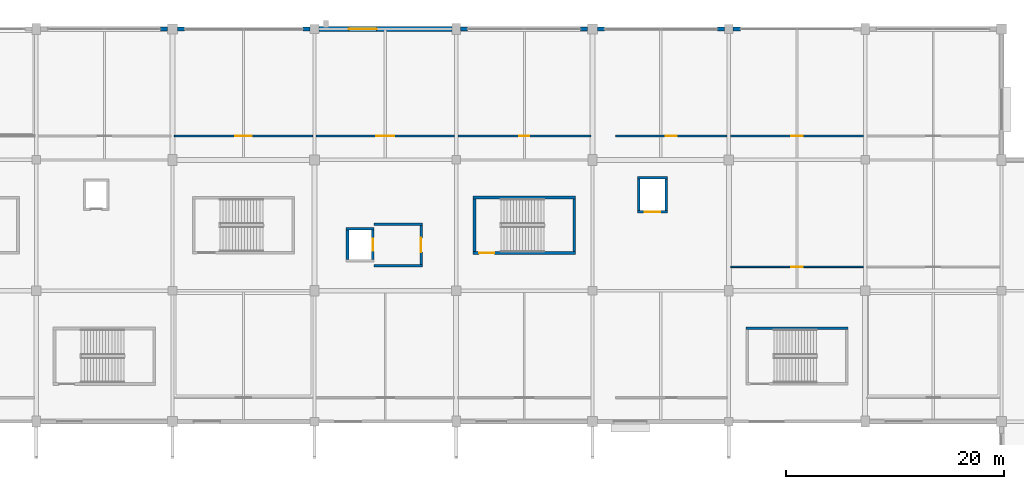
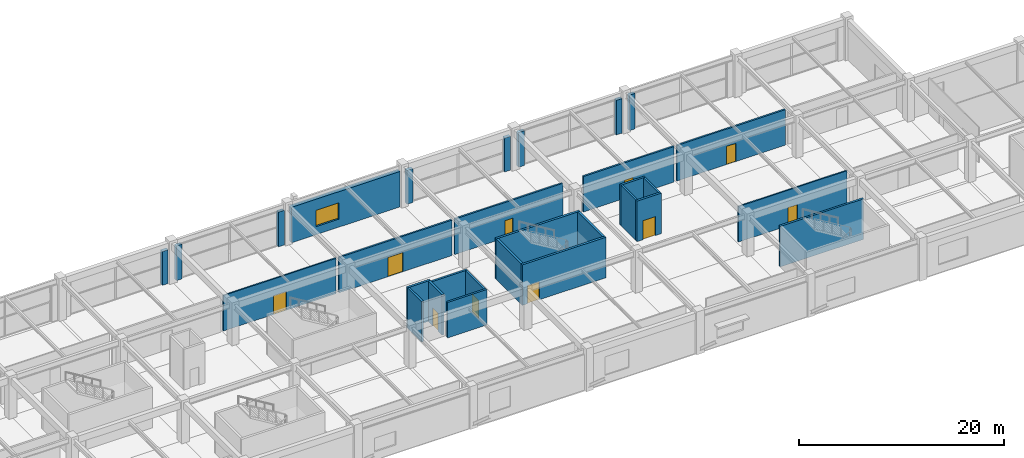
# One storey, part 81 of 116: 30 walls, 10 doors, 1 window, 11 openings.
"""IFC4 building model written with IfcOpenShell, lengths in metres."""

from ifc_helpers import new_model, si_unit, direction, frame, frame_2d, origin, place, context, subcontext, project, spatial, rectangle, extrude, material, layer, layer_set, type_object, element, fill, save


model = new_model("IFC4")

# Units and contexts
model_context = context("Model", 3, precision=1e-05, world=origin(), true_north=direction((0.0, 1.0)))
body_context = subcontext(model_context, "Body", "Model", "MODEL_VIEW")
ifc_project = project(units=[si_unit("LENGTHUNIT", "METRE"), si_unit("AREAUNIT", "SQUARE_METRE"), si_unit("VOLUMEUNIT", "CUBIC_METRE"), si_unit("PLANEANGLEUNIT", "RADIAN"), si_unit("MASSUNIT", "GRAM", prefix="KILO")], contexts=[model_context])

# Site, building, storey
site_placement = place(None, origin())
site = spatial("IfcSite", under=ifc_project, at=site_placement, CompositionType="ELEMENT")
building_placement = place(site_placement, origin())
building = spatial("IfcBuilding", under=site, at=building_placement, Name="Kazenohara Klinker Stadium", CompositionType="ELEMENT")
storey_placement = place(building_placement, frame((0.0, 0.0, 10.199951171875)))
storey = spatial("IfcBuildingStorey", under=building, at=storey_placement, Name="L02", CompositionType="ELEMENT", Elevation=10.199951171875)

# Walls
ifc_material_1 = material(Name="Concrete C40/50", Category="concrete")
ifc_layer_1 = layer(ifc_material_1, 0.22998046875)
ifc_layer_set_1 = layer_set([ifc_layer_1], Name="Concrete C40/50")
wall_type_1 = type_object("IfcWallType", Name="WAL-CORE-230", PredefinedType="SHEAR", material=ifc_layer_set_1)
wall_1_placement = place(storey_placement, frame((151.570068359375, 140.544921875, 0.0), z_axis=(0.0, 0.0, 1.0), x_axis=(1.0, 0.0, 0.0)))
element("IfcWall", 1, at=wall_1_placement, inside=storey, type_object=wall_type_1, Name="Stairwell shear wall ST20 L02 North", PredefinedType="SHEAR", context=body_context, shape_type="SweptSolid", body=[
    extrude(rectangle(XDim=9.35986328125, YDim=0.22998046875, at=frame_2d((4.679931640625, 0.0))), origin(), (0.0, 0.0, 1.0), 4.820068359375),
])
wall_2_placement = place(storey_placement, frame((114.919921875, 149.6650390625, 0.0), z_axis=(0.0, 0.0, 1.0), x_axis=(1.0, 0.0, 0.0)))
element("IfcWall", 2, at=wall_2_placement, inside=storey, type_object=wall_type_1, Name="Elevator shaft wall LF04 L02 North", PredefinedType="SHEAR", context=body_context, shape_type="SweptSolid", body=[
    extrude(rectangle(XDim=2.56005859375, YDim=0.22998046875, at=frame_2d((1.280029296875, 0.0))), origin(), (0.0, 0.0, 1.0), 4.820068359375),
])
wall_3_placement = place(storey_placement, frame((115.034912109375, 146.85009765625, 0.0), z_axis=(0.0, 0.0, 1.0), x_axis=(0.0, 1.0, 0.0)))
element("IfcWall", 3, at=wall_3_placement, inside=storey, type_object=wall_type_1, Name="Elevator shaft wall LF04 L02 West", PredefinedType="SHEAR", context=body_context, shape_type="SweptSolid", body=[
    extrude(rectangle(XDim=2.699951171875, YDim=0.22998046875, at=frame_2d((1.35009765625, 0.0))), origin(), (0.0, 0.0, 1.0), 4.820068359375),
])

# Wall, opening, door
wall_4_placement = place(storey_placement, frame((117.364990234375, 146.85009765625, 0.0), z_axis=(0.0, 0.0, 1.0), x_axis=(0.0, 1.0, 0.0)))
wall_4 = element("IfcWall", 4, at=wall_4_placement, inside=storey, type_object=wall_type_1, Name="Elevator shaft wall LF04 L02 East", PredefinedType="SHEAR", context=body_context, shape_type="SweptSolid", body=[
    extrude(rectangle(XDim=2.699951171875, YDim=0.22998046875, at=frame_2d((1.35009765625, 0.0))), origin(), (0.0, 0.0, 1.0), 4.820068359375),
])
opening_1_placement = place(wall_4_placement, frame((0.800048828125, 0.0, 0.0)))
opening_1 = element("IfcOpeningElement", 5, at=opening_1_placement, cuts=wall_4, Name="Opening LD01", PredefinedType="OPENING", context=body_context, shape_type="SweptSolid", body=[
    extrude(rectangle(XDim=1.10009765625, YDim=2.14990234375, at=frame_2d((0.550048828125, 1.074951171875))), frame((0.0, 0.125, 0.0), z_axis=(0.0, -1.0, 0.0), x_axis=(1.0, 0.0, 0.0)), (0.0, 0.0, 1.0), 0.25),
])
ifc_material_2 = material(Name="Stainless steel fire-rated sliding landing door", Category="steel")
door_type_1 = type_object("IfcDoorType", Name="DR-LD01-1100x2150", OperationType="NOTDEFINED", PredefinedType="DOOR", material=ifc_material_2)
door_1_placement = place(opening_1_placement, origin())
door_1 = element("IfcDoor", 6, at=door_1_placement, inside=storey, type_object=door_type_1, Name="Elevator sliding landing door LF04-L02", OperationType="DOUBLE_DOOR_SLIDING", OverallHeight=2.14990234375, OverallWidth=1.10009765625, PredefinedType="DOOR", context=body_context, shape_type="SweptSolid", body=[
    extrude(rectangle(XDim=1.10009765625, YDim=2.14990234375, at=frame_2d((0.550048828125, 1.074951171875))), frame((0.0, 0.02490234375, 0.0), z_axis=(0.0, -1.0, 0.0), x_axis=(1.0, 0.0, 0.0)), (0.0, 0.0, 1.0), 0.050048828125),
])
fill(opening_1, door_1)

wall_5_placement = place(storey_placement, frame((141.6201171875, 151.235107421875, 0.0), z_axis=(0.0, 0.0, 1.0), x_axis=(1.0, 0.0, 0.0)))
wall_5 = element("IfcWall", 7, at=wall_5_placement, inside=storey, type_object=wall_type_1, Name="Elevator shaft wall LG02 L02 South", PredefinedType="SHEAR", context=body_context, shape_type="SweptSolid", body=[
    extrude(rectangle(XDim=2.759765625, YDim=0.22998046875, at=frame_2d((1.3798828125, 0.0))), origin(), (0.0, 0.0, 1.0), 4.820068359375),
])
opening_2_placement = place(wall_5_placement, frame((0.679931640625, 0.0, 0.0)))
opening_2 = element("IfcOpeningElement", 8, at=opening_2_placement, cuts=wall_5, Name="Opening LD03", PredefinedType="OPENING", context=body_context, shape_type="SweptSolid", body=[
    extrude(rectangle(XDim=1.39990234375, YDim=2.25, at=frame_2d((0.699951171875, 1.125))), frame((0.0, 0.125, 0.0), z_axis=(0.0, -1.0, 0.0), x_axis=(1.0, 0.0, 0.0)), (0.0, 0.0, 1.0), 0.25),
])
ifc_material_3 = material(Name="Heavy-duty stainless steel sliding goods landing door", Category="steel")
door_type_2 = type_object("IfcDoorType", Name="DR-LD03-1400x2250", OperationType="NOTDEFINED", PredefinedType="DOOR", material=ifc_material_3)
door_2_placement = place(opening_2_placement, origin())
door_2 = element("IfcDoor", 9, at=door_2_placement, inside=storey, type_object=door_type_2, Name="Elevator sliding landing door LG02-L02", OperationType="DOUBLE_DOOR_SLIDING", OverallHeight=2.25, OverallWidth=1.39990234375, PredefinedType="DOOR", context=body_context, shape_type="SweptSolid", body=[
    extrude(rectangle(XDim=1.39990234375, YDim=2.25, at=frame_2d((0.699951171875, 1.125))), frame((0.0, 0.02490234375, 0.0), z_axis=(0.0, -1.0, 0.0), x_axis=(1.0, 0.0, 0.0)), (0.0, 0.0, 1.0), 0.050048828125),
])
fill(opening_2, door_2)

# Walls
wall_6_placement = place(storey_placement, frame((141.6201171875, 154.364990234375, 0.0), z_axis=(0.0, 0.0, 1.0), x_axis=(1.0, 0.0, 0.0)))
element("IfcWall", 10, at=wall_6_placement, inside=storey, type_object=wall_type_1, Name="Elevator shaft wall LG02 L02 North", PredefinedType="SHEAR", context=body_context, shape_type="SweptSolid", body=[
    extrude(rectangle(XDim=2.759765625, YDim=0.22998046875, at=frame_2d((1.3798828125, 0.0))), origin(), (0.0, 0.0, 1.0), 4.820068359375),
])
for number, where, z_axis, x_axis, name in (
    (11, (141.735107421875, 151.35009765625, 0.0), (0.0, 0.0, 1.0), (0.0, 1.0, 0.0), "Elevator shaft wall LG02 L02 West"),
    (12, (144.264892578125, 151.35009765625, 0.0), (0.0, 0.0, 1.0), (0.0, 1.0, 0.0), "Elevator shaft wall LG02 L02 East"),
):
    element("IfcWall", number, at=place(storey_placement, frame(where, z_axis=z_axis, x_axis=x_axis)), inside=storey, type_object=wall_type_1, Name=name, PredefinedType="SHEAR", context=body_context, shape_type="SweptSolid", body=[
        extrude(rectangle(XDim=2.89990234375, YDim=0.22998046875, at=frame_2d((1.449951171875, 0.0))), origin(), (0.0, 0.0, 1.0), 4.820068359375),
    ])

# Wall, opening, door
ifc_layer_2 = layer(ifc_material_1, 0.25)
ifc_layer_set_2 = layer_set([ifc_layer_2], Name="Concrete C40/50")
wall_type_2 = type_object("IfcWallType", Name="WAL-CORE-250", PredefinedType="SHEAR", material=ifc_layer_set_2)
wall_7_placement = place(storey_placement, frame((126.550048828125, 147.455078125, 0.0), z_axis=(0.0, 0.0, 1.0), x_axis=(1.0, 0.0, 0.0)))
wall_7 = element("IfcWall", 13, at=wall_7_placement, inside=storey, type_object=wall_type_2, Name="Stairwell shear wall ST11 L02 South", PredefinedType="SHEAR", context=body_context, shape_type="SweptSolid", body=[
    extrude(rectangle(XDim=9.39990234375, YDim=0.25, at=frame_2d((4.699951171875, 0.0))), origin(), (0.0, 0.0, 1.0), 4.820068359375),
])
opening_3_placement = place(wall_7_placement, frame((0.550048828125, 0.0, 0.0)))
opening_3 = element("IfcOpeningElement", 14, at=opening_3_placement, cuts=wall_7, Name="Opening SD01", PredefinedType="OPENING", context=body_context, shape_type="SweptSolid", body=[
    extrude(rectangle(XDim=1.39990234375, YDim=2.14990234375, at=frame_2d((0.699951171875, 1.074951171875))), frame((0.0, 0.135009765625, 0.0), z_axis=(0.0, -1.0, 0.0), x_axis=(1.0, 0.0, 0.0)), (0.0, 0.0, 1.0), 0.27001953125),
])
ifc_material_4 = material(Name="Flush painted steel fire door leaf", Category="steel")
door_type_3 = type_object("IfcDoorType", Name="DR-STR-1400x2150", OperationType="NOTDEFINED", PredefinedType="DOOR", material=ifc_material_4)
door_3_placement = place(opening_3_placement, origin())
door_3 = element("IfcDoor", 15, at=door_3_placement, inside=storey, type_object=door_type_3, Name="Escape stairwell fire door ST11-L02", OperationType="SINGLE_SWING_RIGHT", OverallHeight=2.14990234375, OverallWidth=1.39990234375, PredefinedType="DOOR", context=body_context, shape_type="SweptSolid", body=[
    extrude(rectangle(XDim=1.39990234375, YDim=2.14990234375, at=frame_2d((0.699951171875, 1.074951171875))), frame((0.0, 0.02490234375, 0.0), z_axis=(0.0, -1.0, 0.0), x_axis=(1.0, 0.0, 0.0)), (0.0, 0.0, 1.0), 0.050048828125),
])
fill(opening_3, door_3)

# Walls
wall_8_placement = place(storey_placement, frame((126.550048828125, 152.544921875, 0.0), z_axis=(0.0, 0.0, 1.0), x_axis=(1.0, 0.0, 0.0)))
element("IfcWall", 16, at=wall_8_placement, inside=storey, type_object=wall_type_2, Name="Stairwell shear wall ST11 L02 North", PredefinedType="SHEAR", context=body_context, shape_type="SweptSolid", body=[
    extrude(rectangle(XDim=9.39990234375, YDim=0.25, at=frame_2d((4.699951171875, 0.0))), origin(), (0.0, 0.0, 1.0), 4.820068359375),
])
for number, where, z_axis, x_axis, name in (
    (17, (126.675048828125, 147.580078125, 0.0), (0.0, 0.0, 1.0), (0.0, 1.0, 0.0), "Stairwell shear wall ST11 L02 West"),
    (18, (135.824951171875, 147.580078125, 0.0), (0.0, 0.0, 1.0), (0.0, 1.0, 0.0), "Stairwell shear wall ST11 L02 East"),
):
    element("IfcWall", number, at=place(storey_placement, frame(where, z_axis=z_axis, x_axis=x_axis)), inside=storey, type_object=wall_type_2, Name=name, PredefinedType="SHEAR", context=body_context, shape_type="SweptSolid", body=[
        extrude(rectangle(XDim=4.83984375, YDim=0.25, at=frame_2d((2.419921875, 0.0))), origin(), (0.0, 0.0, 1.0), 4.820068359375),
    ])
ifc_material_5 = material(Name="Clinker brick masonry", Category="masonry")
ifc_layer_3 = layer(ifc_material_5, 0.3701171875)
ifc_layer_set_3 = layer_set([ifc_layer_3], Name="Clinker brick masonry")
wall_type_3 = type_object("IfcWallType", Name="WAL-EXT-CB370", PredefinedType="SOLIDWALL", material=ifc_layer_set_3)
wall_9_placement = place(storey_placement, frame((97.89599609375, 168.0, 0.0), z_axis=(0.0, 0.0, 1.0), x_axis=(1.0, 0.0, 0.0)))
element("IfcWall", 19, at=wall_9_placement, inside=storey, type_object=wall_type_3, Name="Clinker brick curtain-wall jamb pier L02 X7-14 B", PredefinedType="SOLIDWALL", context=body_context, shape_type="SweptSolid", body=[
    extrude(rectangle(XDim=0.64990234375, YDim=0.3701171875, at=frame_2d((0.324951171875, 0.0))), origin(), (0.0, 0.0, 1.0), 4.02001953125),
])
for number, where, z_axis, x_axis, name in (
    (20, (99.4541015625, 168.0, 0.0), (0.0, 0.0, 1.0), (1.0, 0.0, 0.0), "Clinker brick curtain-wall jamb pier L02 X8-14 A"),
    (21, (110.946044921875, 168.0, 0.0), (0.0, 0.0, 1.0), (1.0, 0.0, 0.0), "Clinker brick curtain-wall jamb pier L02 X8-14 B"),
):
    element("IfcWall", number, at=place(storey_placement, frame(where, z_axis=z_axis, x_axis=x_axis)), inside=storey, type_object=wall_type_3, Name=name, PredefinedType="SOLIDWALL", context=body_context, shape_type="SweptSolid", body=[
        extrude(rectangle(XDim=0.64990234375, YDim=0.3701171875, at=frame_2d((0.324951171875, 0.0))), origin(), (0.0, 0.0, 1.0), 4.1201171875),
    ])
for number, where, z_axis, x_axis, name in (
    (22, (125.404052734375, 168.0, 0.0), (0.0, 0.0, 1.0), (1.0, 0.0, 0.0), "Clinker brick curtain-wall jamb pier L02 X10-14 A"),
    (23, (136.39599609375, 168.0, 0.0), (0.0, 0.0, 1.0), (1.0, 0.0, 0.0), "Clinker brick curtain-wall jamb pier L02 X10-14 B"),
):
    element("IfcWall", number, at=place(storey_placement, frame(where, z_axis=z_axis, x_axis=x_axis)), inside=storey, type_object=wall_type_3, Name=name, PredefinedType="SOLIDWALL", context=body_context, shape_type="SweptSolid", body=[
        extrude(rectangle(XDim=0.64990234375, YDim=0.3701171875, at=frame_2d((0.324951171875, 0.0))), origin(), (0.0, 0.0, 1.0), 4.02001953125),
    ])
for number, where, z_axis, x_axis, name in (
    (24, (137.9541015625, 168.0, 0.0), (0.0, 0.0, 1.0), (1.0, 0.0, 0.0), "Clinker brick curtain-wall jamb pier L02 X11-14 A"),
    (25, (148.946044921875, 168.0, 0.0), (0.0, 0.0, 1.0), (1.0, 0.0, 0.0), "Clinker brick curtain-wall jamb pier L02 X11-14 B"),
):
    element("IfcWall", number, at=place(storey_placement, frame(where, z_axis=z_axis, x_axis=x_axis)), inside=storey, type_object=wall_type_3, Name=name, PredefinedType="SOLIDWALL", context=body_context, shape_type="SweptSolid", body=[
        extrude(rectangle(XDim=0.64990234375, YDim=0.3701171875, at=frame_2d((0.324951171875, 0.0))), origin(), (0.0, 0.0, 1.0), 4.1201171875),
    ])
wall_10_placement = place(storey_placement, frame((150.404052734375, 168.0, 0.0), z_axis=(0.0, 0.0, 1.0), x_axis=(1.0, 0.0, 0.0)))
element("IfcWall", 26, at=wall_10_placement, inside=storey, type_object=wall_type_3, Name="Clinker brick curtain-wall jamb pier L02 X12-14 A", PredefinedType="SOLIDWALL", context=body_context, shape_type="SweptSolid", body=[
    extrude(rectangle(XDim=0.64990234375, YDim=0.3701171875, at=frame_2d((0.324951171875, 0.0))), origin(), (0.0, 0.0, 1.0), 4.219970703125),
])

# Wall, opening, window
ifc_layer_4 = layer(ifc_material_5, 0.449951171875)
ifc_layer_set_4 = layer_set([ifc_layer_4], Name="Clinker brick masonry")
wall_type_4 = type_object("IfcWallType", Name="WAL-EXT-CB450", PredefinedType="SOLIDWALL", material=ifc_layer_set_4)
wall_11_placement = place(storey_placement, frame((112.404052734375, 168.0, 0.0), z_axis=(0.0, 0.0, 1.0), x_axis=(1.0, 0.0, 0.0)))
wall_11 = element("IfcWall", 27, at=wall_11_placement, inside=storey, type_object=wall_type_4, Name="Clinker brick cavity wall EW01 L02 X9-14", PredefinedType="SOLIDWALL", context=body_context, shape_type="SweptSolid", body=[
    extrude(rectangle(XDim=12.19189453125, YDim=0.449951171875, at=frame_2d((6.095947265625, 0.0))), origin(), (0.0, 0.0, 1.0), 4.219970703125),
])
opening_4_placement = place(wall_11_placement, frame((2.75, 0.0, 0.949951171875)))
opening_4 = element("IfcOpeningElement", 28, at=opening_4_placement, cuts=wall_11, Name="Opening W26", PredefinedType="OPENING", context=body_context, shape_type="SweptSolid", body=[
    extrude(rectangle(XDim=2.550048828125, YDim=1.949951171875, at=frame_2d((1.27490234375, 0.97509765625))), frame((0.0, 0.23486328125, 0.0), z_axis=(0.0, -1.0, 0.0), x_axis=(1.0, 0.0, 0.0)), (0.0, 0.0, 1.0), 0.469970703125),
])
ifc_material_6 = material(Name="Dark bronze aluminium frame and triple glazing", Category="aluminium")
window_type = type_object("IfcWindowType", Name="WIN-AS-26", PartitioningType="SINGLE_PANEL", PredefinedType="WINDOW", material=ifc_material_6)
window_placement = place(opening_4_placement, origin())
window = element("IfcWindow", 29, at=window_placement, inside=storey, type_object=window_type, Name="Horizontal-mullion ladder window W26 L02 X9-14", OverallHeight=1.949951171875, OverallWidth=2.550048828125, PartitioningType="SINGLE_PANEL", PredefinedType="WINDOW", context=body_context, shape_type="SweptSolid", body=[
    extrude(rectangle(XDim=2.550048828125, YDim=1.949951171875, at=frame_2d((1.27490234375, 0.97509765625))), frame((0.0, 0.030029296875, 0.0), z_axis=(0.0, -1.0, 0.0), x_axis=(1.0, 0.0, 0.0)), (0.0, 0.0, 1.0), 0.06005859375),
])
fill(opening_4, window)

# Walls
ifc_layer_5 = layer(ifc_material_1, 0.219970703125)
ifc_layer_set_5 = layer_set([ifc_layer_5], Name="Concrete C40/50")
wall_type_5 = type_object("IfcWallType", Name="WAL-INT-FF220", PredefinedType="SOLIDWALL", material=ifc_layer_set_5)
for number, where, z_axis, x_axis, name in (
    (30, (117.47998046875, 146.2900390625, 0.0), (0.0, 0.0, 1.0), (1.0, 0.0, 0.0), "Firefighting lobby wall LF04 L02 South"),
    (31, (117.47998046875, 150.110107421875, 0.0), (0.0, 0.0, 1.0), (1.0, 0.0, 0.0), "Firefighting lobby wall LF04 L02 North"),
):
    element("IfcWall", number, at=place(storey_placement, frame(where, z_axis=z_axis, x_axis=x_axis)), inside=storey, type_object=wall_type_5, Name=name, PredefinedType="SOLIDWALL", context=body_context, shape_type="SweptSolid", body=[
        extrude(rectangle(XDim=4.419921875, YDim=0.219970703125, at=frame_2d((2.2099609375, 0.0))), origin(), (0.0, 0.0, 1.0), 4.219970703125),
    ])

# Wall, opening, door
wall_12_placement = place(storey_placement, frame((121.7900390625, 146.39990234375, 0.0), z_axis=(0.0, 0.0, 1.0), x_axis=(0.0, 1.0, 0.0)))
wall_12 = element("IfcWall", 32, at=wall_12_placement, inside=storey, type_object=wall_type_5, Name="Firefighting lobby front wall LF04 L02", PredefinedType="SOLIDWALL", context=body_context, shape_type="SweptSolid", body=[
    extrude(rectangle(XDim=3.60009765625, YDim=0.219970703125, at=frame_2d((1.800048828125, 0.0))), origin(), (0.0, 0.0, 1.0), 4.219970703125),
])
opening_5_placement = place(wall_12_placement, frame((1.14990234375, 0.0, 0.0)))
opening_5 = element("IfcOpeningElement", 33, at=opening_5_placement, cuts=wall_12, Name="Opening FD01", PredefinedType="OPENING", context=body_context, shape_type="SweptSolid", body=[
    extrude(rectangle(XDim=1.300048828125, YDim=2.14990234375, at=frame_2d((0.64990234375, 1.074951171875))), frame((0.0, 0.1201171875, 0.0), z_axis=(0.0, -1.0, 0.0), x_axis=(1.0, 0.0, 0.0)), (0.0, 0.0, 1.0), 0.239990234375),
])
ifc_material_7 = material(Name="Smoke-sealed steel fire lobby door", Category="steel")
door_type_4 = type_object("IfcDoorType", Name="DR-FFL-1300x2150", OperationType="NOTDEFINED", PredefinedType="DOOR", material=ifc_material_7)
door_4_placement = place(opening_5_placement, origin())
door_4 = element("IfcDoor", 34, at=door_4_placement, inside=storey, type_object=door_type_4, Name="Firefighting lobby smoke-sealed door LF04-L02", OperationType="SINGLE_SWING_LEFT", OverallHeight=2.14990234375, OverallWidth=1.300048828125, PredefinedType="DOOR", context=body_context, shape_type="SweptSolid", body=[
    extrude(rectangle(XDim=1.300048828125, YDim=2.14990234375, at=frame_2d((0.64990234375, 1.074951171875))), frame((0.0, 0.02490234375, 0.0), z_axis=(0.0, -1.0, 0.0), x_axis=(1.0, 0.0, 0.0)), (0.0, 0.0, 1.0), 0.050048828125),
])
fill(opening_5, door_4)

ifc_material_8 = material(Name="Fire-rated gypsum board on acoustic studs", Category="gypsum")
ifc_layer_6 = layer(ifc_material_8, 0.14990234375)
ifc_layer_set_6 = layer_set([ifc_layer_6], Name="Fire-rated gypsum board on acoustic studs")
wall_type_6 = type_object("IfcWallType", Name="WAL-INT-P150", PredefinedType="PARTITIONING", material=ifc_layer_set_6)
wall_13_placement = place(storey_placement, frame((99.159912109375, 158.18994140625, 0.0), z_axis=(0.0, 0.0, 1.0), x_axis=(1.0, 0.0, 0.0)))
wall_13 = element("IfcWall", 35, at=wall_13_placement, inside=storey, type_object=wall_type_6, Name="Interior partition wall PT04 SPC-L02-08-13-1-1", PredefinedType="PARTITIONING", context=body_context, shape_type="SweptSolid", body=[
    extrude(rectangle(XDim=12.68017578125, YDim=0.14990234375, at=frame_2d((6.340087890625, 0.0))), origin(), (0.0, 0.0, 1.0), 4.219970703125),
])
opening_6_placement = place(wall_13_placement, frame((5.60009765625, 0.0, 0.0)))
opening_6 = element("IfcOpeningElement", 36, at=opening_6_placement, cuts=wall_13, Name="Opening ID20", PredefinedType="OPENING", context=body_context, shape_type="SweptSolid", body=[
    extrude(rectangle(XDim=1.47998046875, YDim=2.239990234375, at=frame_2d((0.739990234375, 1.1201171875))), frame((0.0, 0.0849609375, 0.0), z_axis=(0.0, -1.0, 0.0), x_axis=(1.0, 0.0, 0.0)), (0.0, 0.0, 1.0), 0.169921875),
])
ifc_material_9 = material(Name="Painted steel plant fire door", Category="steel")
door_type_5 = type_object("IfcDoorType", Name="DR-INT-20", OperationType="NOTDEFINED", PredefinedType="DOOR", material=ifc_material_9)
door_5_placement = place(opening_6_placement, origin())
door_5 = element("IfcDoor", 37, at=door_5_placement, inside=storey, type_object=door_type_5, Name="Interior door ID20 Club Level Sommelier Wine Bar L02-0813A", OperationType="SINGLE_SWING_LEFT", OverallHeight=2.239990234375, OverallWidth=1.47998046875, PredefinedType="DOOR", context=body_context, shape_type="SweptSolid", body=[
    extrude(rectangle(XDim=1.47998046875, YDim=2.239990234375, at=frame_2d((0.739990234375, 1.1201171875))), frame((0.0, 0.02490234375, 0.0), z_axis=(0.0, -1.0, 0.0), x_axis=(1.0, 0.0, 0.0)), (0.0, 0.0, 1.0), 0.050048828125),
])
fill(opening_6, door_5)

wall_14_placement = place(storey_placement, frame((150.159912109375, 146.18994140625, 0.0), z_axis=(0.0, 0.0, 1.0), x_axis=(1.0, 0.0, 0.0)))
wall_14 = element("IfcWall", 38, at=wall_14_placement, inside=storey, type_object=wall_type_6, Name="Interior partition wall PT04 SPC-L02-12-12-1-1", PredefinedType="PARTITIONING", context=body_context, shape_type="SweptSolid", body=[
    extrude(rectangle(XDim=12.18017578125, YDim=0.14990234375, at=frame_2d((6.090087890625, 0.0))), origin(), (0.0, 0.0, 1.0), 4.219970703125),
])
opening_7_placement = place(wall_14_placement, frame((5.56005859375, 0.0, 0.0)))
opening_7 = element("IfcOpeningElement", 39, at=opening_7_placement, cuts=wall_14, Name="Opening ID07", PredefinedType="OPENING", context=body_context, shape_type="SweptSolid", body=[
    extrude(rectangle(XDim=1.06005859375, YDim=2.14990234375, at=frame_2d((0.530029296875, 1.074951171875))), frame((0.0, 0.0849609375, 0.0), z_axis=(0.0, -1.0, 0.0), x_axis=(1.0, 0.0, 0.0)), (0.0, 0.0, 1.0), 0.169921875),
])
ifc_material_10 = material(Name="Solid-core Hokkaido oak fire door", Category="wood")
door_type_6 = type_object("IfcDoorType", Name="DR-INT-07", OperationType="NOTDEFINED", PredefinedType="DOOR", material=ifc_material_10)
door_6_placement = place(opening_7_placement, origin())
door_6 = element("IfcDoor", 40, at=door_6_placement, inside=storey, type_object=door_type_6, Name="Interior door ID07 Founders Club Hospitality Lounge L02-1212A", OperationType="SINGLE_SWING_RIGHT", OverallHeight=2.14990234375, OverallWidth=1.06005859375, PredefinedType="DOOR", context=body_context, shape_type="SweptSolid", body=[
    extrude(rectangle(XDim=1.06005859375, YDim=2.14990234375, at=frame_2d((0.530029296875, 1.074951171875))), frame((0.0, 0.02490234375, 0.0), z_axis=(0.0, -1.0, 0.0), x_axis=(1.0, 0.0, 0.0)), (0.0, 0.0, 1.0), 0.050048828125),
])
fill(opening_7, door_6)

ifc_layer_7 = layer(ifc_material_8, 0.18994140625)
ifc_layer_set_7 = layer_set([ifc_layer_7], Name="Fire-rated gypsum board on acoustic studs")
wall_type_7 = type_object("IfcWallType", Name="WAL-INT-P190", PredefinedType="PARTITIONING", material=ifc_layer_set_7)
wall_15_placement = place(storey_placement, frame((112.159912109375, 158.18994140625, 0.0), z_axis=(0.0, 0.0, 1.0), x_axis=(1.0, 0.0, 0.0)))
wall_15 = element("IfcWall", 41, at=wall_15_placement, inside=storey, type_object=wall_type_7, Name="Interior partition wall PT06 SPC-L02-09-13-1-1", PredefinedType="PARTITIONING", context=body_context, shape_type="SweptSolid", body=[
    extrude(rectangle(XDim=12.68017578125, YDim=0.18994140625, at=frame_2d((6.340087890625, 0.0))), origin(), (0.0, 0.0, 1.0), 4.219970703125),
])
opening_8_placement = place(wall_15_placement, frame((5.514892578125, 0.0, 0.0)))
opening_8 = element("IfcOpeningElement", 42, at=opening_8_placement, cuts=wall_15, Name="Opening ID24", PredefinedType="OPENING", context=body_context, shape_type="SweptSolid", body=[
    extrude(rectangle(XDim=1.64990234375, YDim=2.280029296875, at=frame_2d((0.824951171875, 1.14013671875))), frame((0.0, 0.10498046875, 0.0), z_axis=(0.0, -1.0, 0.0), x_axis=(1.0, 0.0, 0.0)), (0.0, 0.0, 1.0), 0.2099609375),
])
door_type_7 = type_object("IfcDoorType", Name="DR-INT-24", OperationType="NOTDEFINED", PredefinedType="DOOR", material=ifc_material_9)
door_7_placement = place(opening_8_placement, origin())
door_7 = element("IfcDoor", 43, at=door_7_placement, inside=storey, type_object=door_type_7, Name="Interior door ID24 Corporate Hospitality Viewing Suite L02-0913A", OperationType="SINGLE_SWING_LEFT", OverallHeight=2.280029296875, OverallWidth=1.64990234375, PredefinedType="DOOR", context=body_context, shape_type="SweptSolid", body=[
    extrude(rectangle(XDim=1.64990234375, YDim=2.280029296875, at=frame_2d((0.824951171875, 1.14013671875))), frame((0.0, 0.02490234375, 0.0), z_axis=(0.0, -1.0, 0.0), x_axis=(1.0, 0.0, 0.0)), (0.0, 0.0, 1.0), 0.050048828125),
])
fill(opening_8, door_7)

wall_16_placement = place(storey_placement, frame((125.159912109375, 158.18994140625, 0.0), z_axis=(0.0, 0.0, 1.0), x_axis=(1.0, 0.0, 0.0)))
wall_16 = element("IfcWall", 44, at=wall_16_placement, inside=storey, type_object=wall_type_7, Name="Interior partition wall PT06 SPC-L02-10-13-1-1", PredefinedType="PARTITIONING", context=body_context, shape_type="SweptSolid", body=[
    extrude(rectangle(XDim=12.18017578125, YDim=0.18994140625, at=frame_2d((6.090087890625, 0.0))), origin(), (0.0, 0.0, 1.0), 4.219970703125),
])
opening_9_placement = place(wall_16_placement, frame((5.639892578125, 0.0, 0.0)))
opening_9 = element("IfcOpeningElement", 45, at=opening_9_placement, cuts=wall_16, Name="Opening ID01", PredefinedType="OPENING", context=body_context, shape_type="SweptSolid", body=[
    extrude(rectangle(XDim=0.89990234375, YDim=2.06005859375, at=frame_2d((0.449951171875, 1.030029296875))), frame((0.0, 0.10498046875, 0.0), z_axis=(0.0, -1.0, 0.0), x_axis=(1.0, 0.0, 0.0)), (0.0, 0.0, 1.0), 0.2099609375),
])
door_type_8 = type_object("IfcDoorType", Name="DR-INT-01", OperationType="NOTDEFINED", PredefinedType="DOOR", material=ifc_material_10)
door_8_placement = place(opening_9_placement, origin())
door_8 = element("IfcDoor", 46, at=door_8_placement, inside=storey, type_object=door_type_8, Name="Interior door ID01 Club Level Sommelier Wine Bar L02-1013A", OperationType="SINGLE_SWING_RIGHT", OverallHeight=2.06005859375, OverallWidth=0.89990234375, PredefinedType="DOOR", context=body_context, shape_type="SweptSolid", body=[
    extrude(rectangle(XDim=0.89990234375, YDim=2.06005859375, at=frame_2d((0.449951171875, 1.030029296875))), frame((0.0, 0.02490234375, 0.0), z_axis=(0.0, -1.0, 0.0), x_axis=(1.0, 0.0, 0.0)), (0.0, 0.0, 1.0), 0.050048828125),
])
fill(opening_9, door_8)

wall_17_placement = place(storey_placement, frame((139.6201171875, 158.18994140625, 0.0), z_axis=(0.0, 0.0, 1.0), x_axis=(1.0, 0.0, 0.0)))
wall_17 = element("IfcWall", 47, at=wall_17_placement, inside=storey, type_object=wall_type_7, Name="Interior partition wall PT06 SPC-L02-11-13-1-1", PredefinedType="PARTITIONING", context=body_context, shape_type="SweptSolid", body=[
    extrude(rectangle(XDim=10.219970703125, YDim=0.18994140625, at=frame_2d((5.10986328125, 0.0))), origin(), (0.0, 0.0, 1.0), 4.219970703125),
])
opening_10_placement = place(wall_17_placement, frame((4.610107421875, 0.0, 0.0)))
opening_10 = element("IfcOpeningElement", 48, at=opening_10_placement, cuts=wall_17, Name="Opening ID05", PredefinedType="OPENING", context=body_context, shape_type="SweptSolid", body=[
    extrude(rectangle(XDim=1.0, YDim=2.139892578125, at=frame_2d((0.5, 1.06982421875))), frame((0.0, 0.10498046875, 0.0), z_axis=(0.0, -1.0, 0.0), x_axis=(1.0, 0.0, 0.0)), (0.0, 0.0, 1.0), 0.2099609375),
])
door_type_9 = type_object("IfcDoorType", Name="DR-INT-05", OperationType="NOTDEFINED", PredefinedType="DOOR", material=ifc_material_10)
door_9_placement = place(opening_10_placement, origin())
door_9 = element("IfcDoor", 49, at=door_9_placement, inside=storey, type_object=door_type_9, Name="Interior door ID05 Corporate Hospitality Viewing Suite L02-1113A", OperationType="SINGLE_SWING_RIGHT", OverallHeight=2.139892578125, OverallWidth=1.0, PredefinedType="DOOR", context=body_context, shape_type="SweptSolid", body=[
    extrude(rectangle(XDim=1.0, YDim=2.139892578125, at=frame_2d((0.5, 1.06982421875))), frame((0.0, 0.02490234375, 0.0), z_axis=(0.0, -1.0, 0.0), x_axis=(1.0, 0.0, 0.0)), (0.0, 0.0, 1.0), 0.050048828125),
])
fill(opening_10, door_9)

wall_18_placement = place(storey_placement, frame((150.159912109375, 158.18994140625, 0.0), z_axis=(0.0, 0.0, 1.0), x_axis=(1.0, 0.0, 0.0)))
wall_18 = element("IfcWall", 50, at=wall_18_placement, inside=storey, type_object=wall_type_7, Name="Interior partition wall PT06 SPC-L02-12-13-1-1", PredefinedType="PARTITIONING", context=body_context, shape_type="SweptSolid", body=[
    extrude(rectangle(XDim=12.18017578125, YDim=0.18994140625, at=frame_2d((6.090087890625, 0.0))), origin(), (0.0, 0.0, 1.0), 4.219970703125),
])
opening_11_placement = place(wall_18_placement, frame((5.544921875, 0.0, 0.0)))
opening_11 = element("IfcOpeningElement", 51, at=opening_11_placement, cuts=wall_18, Name="Opening ID08", PredefinedType="OPENING", context=body_context, shape_type="SweptSolid", body=[
    extrude(rectangle(XDim=1.090087890625, YDim=2.159912109375, at=frame_2d((0.544921875, 1.080078125))), frame((0.0, 0.10498046875, 0.0), z_axis=(0.0, -1.0, 0.0), x_axis=(1.0, 0.0, 0.0)), (0.0, 0.0, 1.0), 0.2099609375),
])
door_type_10 = type_object("IfcDoorType", Name="DR-INT-08", OperationType="NOTDEFINED", PredefinedType="DOOR", material=ifc_material_10)
door_10_placement = place(opening_11_placement, origin())
door_10 = element("IfcDoor", 52, at=door_10_placement, inside=storey, type_object=door_type_10, Name="Interior door ID08 Club Level Sommelier Wine Bar L02-1213A", OperationType="SINGLE_SWING_LEFT", OverallHeight=2.159912109375, OverallWidth=1.090087890625, PredefinedType="DOOR", context=body_context, shape_type="SweptSolid", body=[
    extrude(rectangle(XDim=1.090087890625, YDim=2.159912109375, at=frame_2d((0.544921875, 1.080078125))), frame((0.0, 0.02490234375, 0.0), z_axis=(0.0, -1.0, 0.0), x_axis=(1.0, 0.0, 0.0)), (0.0, 0.0, 1.0), 0.050048828125),
])
fill(opening_11, door_10)

save(model, "model.ifc")
